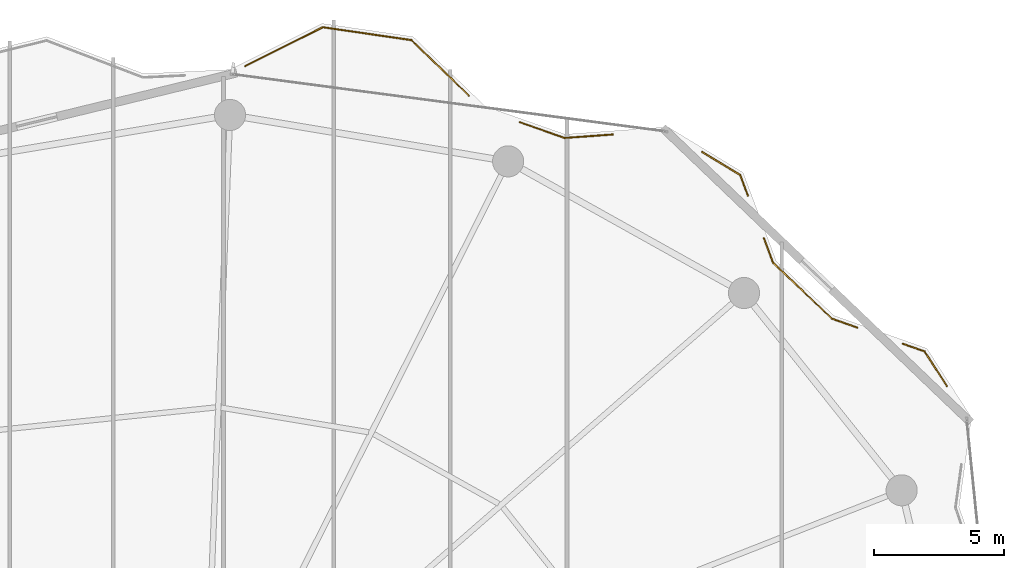
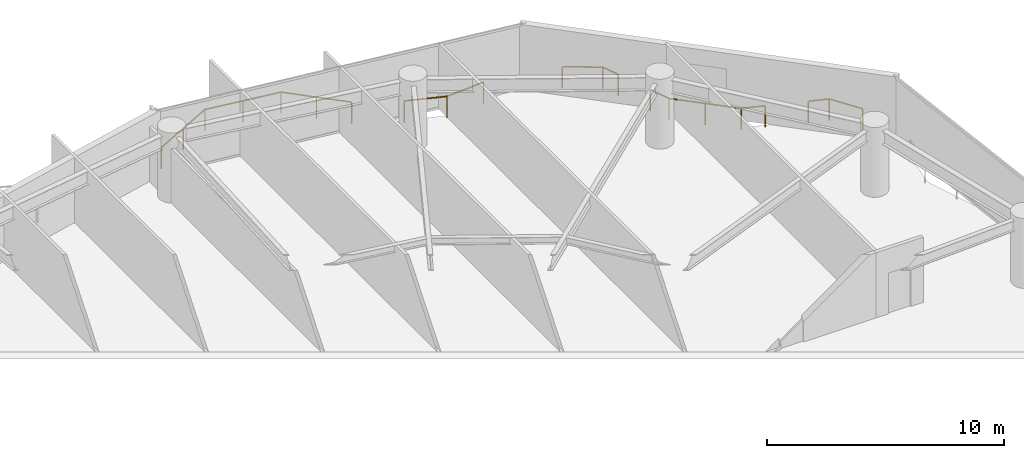
# One storey, part 31 of 31: 5 railings.
"""IFC4 building model written with IfcOpenShell, lengths in metres."""

from ifc_helpers import new_model, si_unit, direction, frame, origin, origin_2d, place, context, subcontext, project, spatial, rectangle, extrude, material, type_object, element, save


model = new_model("IFC4")

# Units and contexts
model_context = context("Model", 3, precision=1e-05, world=origin(), true_north=direction((0.0, 1.0)))
body_context = subcontext(model_context, "Body", "Model", "MODEL_VIEW")
ifc_project = project(units=[si_unit("LENGTHUNIT", "METRE"), si_unit("AREAUNIT", "SQUARE_METRE"), si_unit("VOLUMEUNIT", "CUBIC_METRE"), si_unit("PLANEANGLEUNIT", "RADIAN"), si_unit("MASSUNIT", "GRAM", prefix="KILO")], contexts=[model_context])

# Site, building, storey
site_placement = place(None, origin())
site = spatial("IfcSite", under=ifc_project, at=site_placement, CompositionType="ELEMENT")
building_placement = place(site_placement, origin())
building = spatial("IfcBuilding", under=site, at=building_placement, Name="Kazevale Care Tower and Concert Hall", CompositionType="ELEMENT")
storey_placement = place(building_placement, frame((0.0, 0.0, 124.199951171875)))
storey = spatial("IfcBuildingStorey", under=building, at=storey_placement, Name="L32", CompositionType="ELEMENT", Elevation=124.199951171875)

# Railings
ifc_material = material(Name="Anodised Bronze Aluminium and Laminated Glass", Category="aluminium")
railing_type = type_object("IfcRailingType", Name="Balcony and Terrace Balustrade 1120", PredefinedType="BALUSTRADE", material=ifc_material)
railing_1_placement = place(storey_placement, frame((45.58203125, 63.3349609375, 0.0)))
element("IfcRailing", 1, at=railing_1_placement, inside=storey, type_object=railing_type, Name="rail:L32:perim:6", PredefinedType="BALUSTRADE", context=body_context, shape_type="SweptSolid", body=[
    extrude(rectangle(XDim=0.048095703125, YDim=0.048095703125, at=origin_2d()), frame((0.0, 0.0, 1.09619140625), z_axis=(0.894295970648, 0.447475940003, 0.0), x_axis=(-0.447475940003, 0.894295970648, 0.0)), (0.0, 0.0, 1.0), 3.349853515625),
    extrude(rectangle(XDim=0.048095703125, YDim=0.048095703125, at=origin_2d()), frame((2.995849609375, 1.4990234375, 1.09619140625), z_axis=(0.989614943685, -0.143743741553, 0.0), x_axis=(0.143743741553, 0.989614943685, 0.0)), (0.0, 0.0, 1.0), 3.4580078125),
    extrude(rectangle(XDim=0.048095703125, YDim=0.048095703125, at=origin_2d()), frame((6.41796875, 1.001953125, 1.09619140625), z_axis=(0.719198097767, -0.694805077823, 0.0), x_axis=(0.694805077823, 0.719198097767, 0.0)), (0.0, 0.0, 1.0), 3.082763671875),
    extrude(rectangle(XDim=0.0419921875, YDim=0.0419921875, at=origin_2d()), origin(), (0.0, 0.0, 1.0), 1.072021484375),
    extrude(rectangle(XDim=0.0419921875, YDim=0.0419921875, at=origin_2d()), frame((1.498046875, 0.74951171875, 0.0)), (0.0, 0.0, 1.0), 1.072021484375),
    extrude(rectangle(XDim=0.0419921875, YDim=0.0419921875, at=origin_2d()), frame((2.995849609375, 1.4990234375, 0.0)), (0.0, 0.0, 1.0), 1.072021484375),
    extrude(rectangle(XDim=0.0419921875, YDim=0.0419921875, at=origin_2d()), frame((4.70703125, 1.25048828125, 0.0)), (0.0, 0.0, 1.0), 1.072021484375),
    extrude(rectangle(XDim=0.0419921875, YDim=0.0419921875, at=origin_2d()), frame((6.41796875, 1.001953125, 0.0)), (0.0, 0.0, 1.0), 1.072021484375),
    extrude(rectangle(XDim=0.0419921875, YDim=0.0419921875, at=origin_2d()), frame((7.5263671875, -0.06884765625, 0.0)), (0.0, 0.0, 1.0), 1.072021484375),
    extrude(rectangle(XDim=0.0419921875, YDim=0.0419921875, at=origin_2d()), frame((8.635009765625, -1.139892578125, 0.0)), (0.0, 0.0, 1.0), 1.072021484375),
])
railing_2_placement = place(storey_placement, frame((56.177001953125, 61.169921875, 0.0)))
element("IfcRailing", 2, at=railing_2_placement, inside=storey, type_object=railing_type, Name="rail:L32:perim:7", PredefinedType="BALUSTRADE", context=body_context, shape_type="SweptSolid", body=[
    extrude(rectangle(XDim=0.048095703125, YDim=0.048095703125, at=origin_2d()), frame((0.0, 0.0, 1.09619140625), z_axis=(0.943845924202, -0.330385943054, 0.0), x_axis=(0.330385943054, 0.943845924202, 0.0)), (0.0, 0.0, 1.0), 1.837158203125),
    extrude(rectangle(XDim=0.048095703125, YDim=0.048095703125, at=origin_2d()), frame((1.73388671875, -0.60693359375, 1.09619140625), z_axis=(0.997446044484, 0.071424003974, 0.0), x_axis=(-0.071424003974, 0.997446044484, 0.0)), (0.0, 0.0, 1.0), 1.86279296875),
    extrude(rectangle(XDim=0.0419921875, YDim=0.0419921875, at=origin_2d()), origin(), (0.0, 0.0, 1.0), 1.072021484375),
    extrude(rectangle(XDim=0.0419921875, YDim=0.0419921875, at=origin_2d()), frame((1.73388671875, -0.60693359375, 0.0)), (0.0, 0.0, 1.0), 1.072021484375),
    extrude(rectangle(XDim=0.0419921875, YDim=0.0419921875, at=origin_2d()), frame((3.592041015625, -0.473876953125, 0.0)), (0.0, 0.0, 1.0), 1.072021484375),
])
railing_3_placement = place(storey_placement, frame((63.218017578125, 60.02001953125, 0.0)))
element("IfcRailing", 3, at=railing_3_placement, inside=storey, type_object=railing_type, Name="rail:L32:perim:8", PredefinedType="BALUSTRADE", context=body_context, shape_type="SweptSolid", body=[
    extrude(rectangle(XDim=0.048095703125, YDim=0.048095703125, at=origin_2d()), frame((0.0, 0.0, 1.09619140625), z_axis=(0.855004324382, -0.518620868542, 0.0), x_axis=(0.518620868542, 0.855004324382, 0.0)), (0.0, 0.0, 1.0), 1.712158203125),
    extrude(rectangle(XDim=0.048095703125, YDim=0.048095703125, at=origin_2d()), frame((1.4638671875, -0.887939453125, 1.09619140625), z_axis=(0.350274461478, -0.936647106245, 0.0), x_axis=(0.936647106245, 0.350274461478, 0.0)), (0.0, 0.0, 1.0), 0.85107421875),
    extrude(rectangle(XDim=0.0419921875, YDim=0.0419921875, at=origin_2d()), origin(), (0.0, 0.0, 1.0), 1.072021484375),
    extrude(rectangle(XDim=0.0419921875, YDim=0.0419921875, at=origin_2d()), frame((1.4638671875, -0.887939453125, 0.0)), (0.0, 0.0, 1.0), 1.072021484375),
    extrude(rectangle(XDim=0.0419921875, YDim=0.0419921875, at=origin_2d()), frame((1.761962890625, -1.68505859375, 0.0)), (0.0, 0.0, 1.0), 1.072021484375),
])
railing_4_placement = place(storey_placement, frame((65.593994140625, 56.696044921875, 0.0)))
element("IfcRailing", 4, at=railing_4_placement, inside=storey, type_object=railing_type, Name="rail:L32:perim:9", PredefinedType="BALUSTRADE", context=body_context, shape_type="SweptSolid", body=[
    extrude(rectangle(XDim=0.048095703125, YDim=0.048095703125, at=origin_2d()), frame((0.0, 0.0, 1.09619140625), z_axis=(0.35059921424, -0.936525595472, 0.0), x_axis=(0.936525595472, 0.35059921424, 0.0)), (0.0, 0.0, 1.0), 1.020751953125),
    extrude(rectangle(XDim=0.048095703125, YDim=0.048095703125, at=origin_2d()), frame((0.35791015625, -0.9560546875, 1.09619140625), z_axis=(0.726387325624, -0.687285568867, 0.0), x_axis=(0.687285568867, 0.726387325624, 0.0)), (0.0, 0.0, 1.0), 3.128173828125),
    extrude(rectangle(XDim=0.048095703125, YDim=0.048095703125, at=origin_2d()), frame((2.630126953125, -3.10595703125, 1.09619140625), z_axis=(0.942764361148, -0.333459681743, 0.0), x_axis=(0.333459681743, 0.942764361148, 0.0)), (0.0, 0.0, 1.0), 1.0380859375),
    extrude(rectangle(XDim=0.0419921875, YDim=0.0419921875, at=origin_2d()), origin(), (0.0, 0.0, 1.0), 1.072021484375),
    extrude(rectangle(XDim=0.0419921875, YDim=0.0419921875, at=origin_2d()), frame((0.35791015625, -0.9560546875, 0.0)), (0.0, 0.0, 1.0), 1.072021484375),
    extrude(rectangle(XDim=0.0419921875, YDim=0.0419921875, at=origin_2d()), frame((1.494140625, -2.031005859375, 0.0)), (0.0, 0.0, 1.0), 1.072021484375),
    extrude(rectangle(XDim=0.0419921875, YDim=0.0419921875, at=origin_2d()), frame((2.630126953125, -3.10595703125, 0.0)), (0.0, 0.0, 1.0), 1.072021484375),
    extrude(rectangle(XDim=0.0419921875, YDim=0.0419921875, at=origin_2d()), frame((3.60888671875, -3.4521484375, 0.0)), (0.0, 0.0, 1.0), 1.072021484375),
])
railing_5_placement = place(storey_placement, frame((70.947021484375, 52.626953125, 0.0)))
element("IfcRailing", 5, at=railing_5_placement, inside=storey, type_object=railing_type, Name="rail:L32:perim:11", PredefinedType="BALUSTRADE", context=body_context, shape_type="SweptSolid", body=[
    extrude(rectangle(XDim=0.048095703125, YDim=0.048095703125, at=origin_2d()), frame((0.0, 0.0, 1.09619140625), z_axis=(0.94312106056, -0.332449492598, 0.0), x_axis=(0.332449492598, 0.94312106056, 0.0)), (0.0, 0.0, 1.0), 0.89599609375),
    extrude(rectangle(XDim=0.048095703125, YDim=0.048095703125, at=origin_2d()), frame((0.844970703125, -0.2978515625, 1.09619140625), z_axis=(0.542760428635, -0.839887562182, 0.0), x_axis=(0.839887562182, 0.542760428635, 0.0)), (0.0, 0.0, 1.0), 1.58837890625),
    extrude(rectangle(XDim=0.0419921875, YDim=0.0419921875, at=origin_2d()), origin(), (0.0, 0.0, 1.0), 1.072021484375),
    extrude(rectangle(XDim=0.0419921875, YDim=0.0419921875, at=origin_2d()), frame((0.844970703125, -0.2978515625, 0.0)), (0.0, 0.0, 1.0), 1.072021484375),
    extrude(rectangle(XDim=0.0419921875, YDim=0.0419921875, at=origin_2d()), frame((1.70703125, -1.6318359375, 0.0)), (0.0, 0.0, 1.0), 1.072021484375),
])

save(model, "model.ifc")
